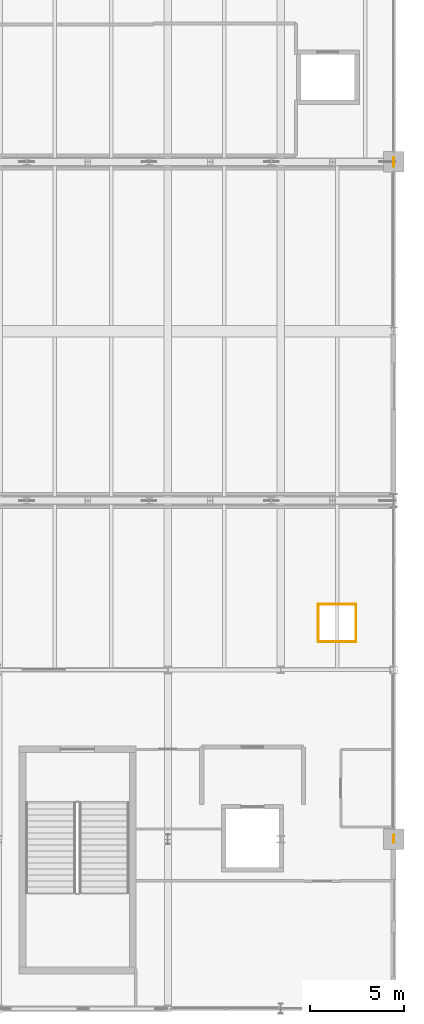
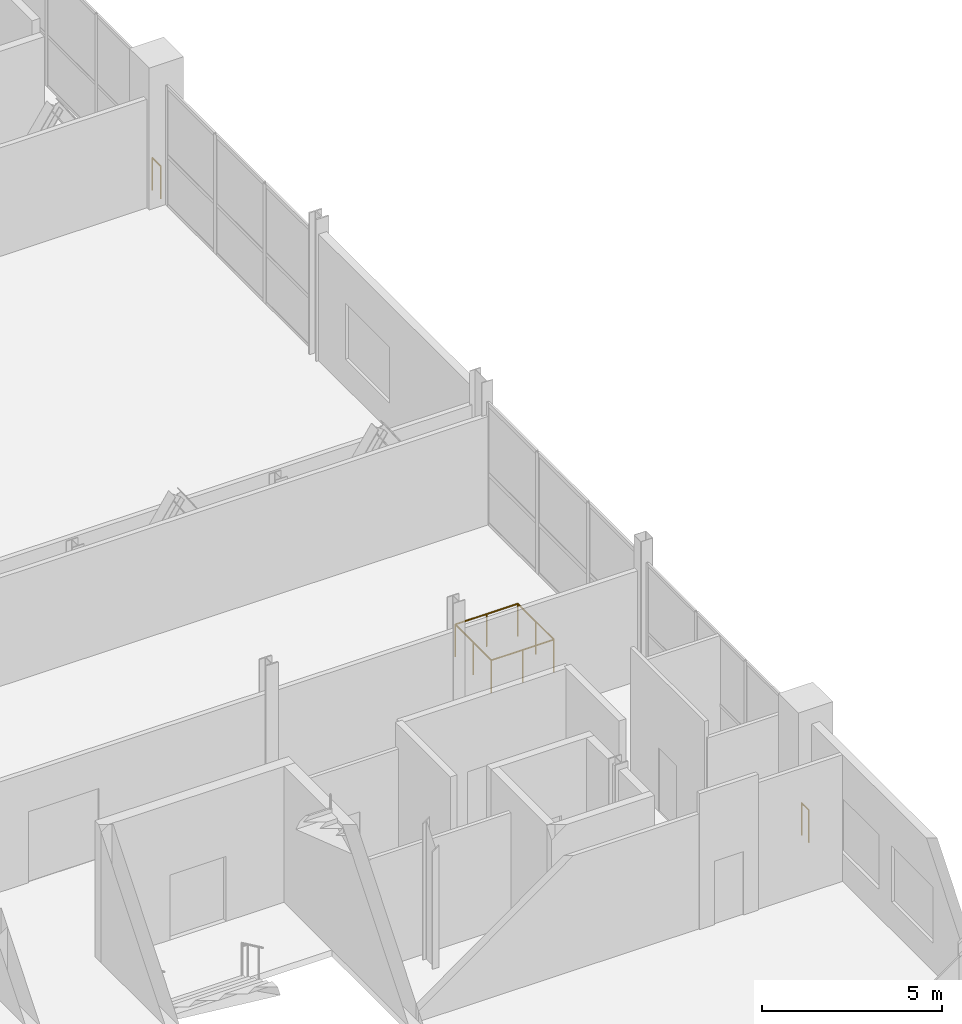
# One storey, part 220 of 224: 6 railings.
"""IFC4 building model written with IfcOpenShell, lengths in metres."""

from ifc_helpers import new_model, si_unit, direction, frame, origin, origin_2d, place, context, subcontext, project, spatial, circle, extrude, material, type_object, element, save


model = new_model("IFC4")

# Units and contexts
model_context = context("Model", 3, precision=1e-05, world=origin(), true_north=direction((0.0, 1.0)))
body_context = subcontext(model_context, "Body", "Model", "MODEL_VIEW")
ifc_project = project(units=[si_unit("LENGTHUNIT", "METRE"), si_unit("AREAUNIT", "SQUARE_METRE"), si_unit("VOLUMEUNIT", "CUBIC_METRE"), si_unit("PLANEANGLEUNIT", "RADIAN"), si_unit("MASSUNIT", "GRAM", prefix="KILO")], contexts=[model_context])

# Site, building, storey
site_placement = place(None, origin())
site = spatial("IfcSite", under=ifc_project, at=site_placement, CompositionType="ELEMENT")
building_placement = place(site_placement, origin())
building = spatial("IfcBuilding", under=site, at=building_placement, Name="Qamarlyn Nura Convention Centre", CompositionType="ELEMENT")
storey_placement = place(building_placement, frame((0.0, 0.0, 10.800048828125)))
storey = spatial("IfcBuildingStorey", under=building, at=storey_placement, Name="L02", CompositionType="ELEMENT", Elevation=10.800048828125)

# Railings
ifc_material = material(Name="Marine Grade 316 stainless steel", Category="steel")
railing_type = type_object("IfcRailingType", Name="GRD-VOID-112", PredefinedType="BALUSTRADE", material=ifc_material)
railing_1_placement = place(storey_placement, frame((192.0, 45.22998046875, 0.0)))
element("IfcRailing", 1, at=railing_1_placement, inside=storey, type_object=railing_type, Name="L02 slab edge balustrade guard 055", PredefinedType="BALUSTRADE", context=body_context, shape_type="SweptSolid", body=[
    extrude(circle(Radius=0.02392578125, at=origin_2d()), frame((0.0, 0.0, 1.09619140625), z_axis=(0.0, -1.0, 0.0), x_axis=(1.0, 0.0, 0.0)), (0.0, 0.0, 1.0), 0.4599609375),
    extrude(circle(Radius=0.02099609375, at=origin_2d()), origin(), (0.0, 0.0, 1.0), 1.070068359375),
    extrude(circle(Radius=0.02099609375, at=origin_2d()), frame((0.0, -0.4599609375, 0.0)), (0.0, 0.0, 1.0), 1.070068359375),
])
railing_2_placement = place(storey_placement, frame((192.0, 9.22998046875, 0.0)))
element("IfcRailing", 2, at=railing_2_placement, inside=storey, type_object=railing_type, Name="L02 slab edge balustrade guard 056", PredefinedType="BALUSTRADE", context=body_context, shape_type="SweptSolid", body=[
    extrude(circle(Radius=0.02392578125, at=origin_2d()), frame((0.0, 0.0, 1.09619140625), z_axis=(0.0, -1.0, 0.0), x_axis=(1.0, 0.0, 0.0)), (0.0, 0.0, 1.0), 0.39990234375),
    extrude(circle(Radius=0.02099609375, at=origin_2d()), origin(), (0.0, 0.0, 1.0), 1.070068359375),
    extrude(circle(Radius=0.02099609375, at=origin_2d()), frame((0.0, -0.39990234375, 0.0)), (0.0, 0.0, 1.0), 1.070068359375),
])
railing_3_placement = place(storey_placement, frame((190.0, 21.5, 0.0)))
element("IfcRailing", 3, at=railing_3_placement, inside=storey, type_object=railing_type, Name="L02 slab edge balustrade guard 061", PredefinedType="BALUSTRADE", context=body_context, shape_type="SweptSolid", body=[
    extrude(circle(Radius=0.02392578125, at=origin_2d()), frame((0.0, 0.0, 1.09619140625), z_axis=(-1.0, 0.0, 0.0), x_axis=(0.0, -1.0, 0.0)), (0.0, 0.0, 1.0), 2.0),
    extrude(circle(Radius=0.02099609375, at=origin_2d()), origin(), (0.0, 0.0, 1.0), 1.070068359375),
    extrude(circle(Radius=0.02099609375, at=origin_2d()), frame((-1.0, 0.0, 0.0)), (0.0, 0.0, 1.0), 1.070068359375),
    extrude(circle(Radius=0.02099609375, at=origin_2d()), frame((-2.0, 0.0, 0.0)), (0.0, 0.0, 1.0), 1.070068359375),
])
railing_4_placement = place(storey_placement, frame((188.0, 21.5, 0.0)))
element("IfcRailing", 4, at=railing_4_placement, inside=storey, type_object=railing_type, Name="L02 slab edge balustrade guard 062", PredefinedType="BALUSTRADE", context=body_context, shape_type="SweptSolid", body=[
    extrude(circle(Radius=0.02392578125, at=origin_2d()), frame((0.0, 0.0, 1.09619140625), z_axis=(0.0, -1.0, 0.0), x_axis=(1.0, 0.0, 0.0)), (0.0, 0.0, 1.0), 2.0),
    extrude(circle(Radius=0.02099609375, at=origin_2d()), origin(), (0.0, 0.0, 1.0), 1.070068359375),
    extrude(circle(Radius=0.02099609375, at=origin_2d()), frame((0.0, -1.0, 0.0)), (0.0, 0.0, 1.0), 1.070068359375),
    extrude(circle(Radius=0.02099609375, at=origin_2d()), frame((0.0, -2.0, 0.0)), (0.0, 0.0, 1.0), 1.070068359375),
])
railing_5_placement = place(storey_placement, frame((188.0, 19.5, 0.0)))
element("IfcRailing", 5, at=railing_5_placement, inside=storey, type_object=railing_type, Name="L02 slab edge balustrade guard 063", PredefinedType="BALUSTRADE", context=body_context, shape_type="SweptSolid", body=[
    extrude(circle(Radius=0.02392578125, at=origin_2d()), frame((0.0, 0.0, 1.09619140625), z_axis=(1.0, 0.0, 0.0), x_axis=(0.0, 1.0, 0.0)), (0.0, 0.0, 1.0), 2.0),
    extrude(circle(Radius=0.02099609375, at=origin_2d()), origin(), (0.0, 0.0, 1.0), 1.070068359375),
    extrude(circle(Radius=0.02099609375, at=origin_2d()), frame((1.0, 0.0, 0.0)), (0.0, 0.0, 1.0), 1.070068359375),
    extrude(circle(Radius=0.02099609375, at=origin_2d()), frame((2.0, 0.0, 0.0)), (0.0, 0.0, 1.0), 1.070068359375),
])
railing_6_placement = place(storey_placement, frame((190.0, 19.5, 0.0)))
element("IfcRailing", 6, at=railing_6_placement, inside=storey, type_object=railing_type, Name="L02 slab edge balustrade guard 064", PredefinedType="BALUSTRADE", context=body_context, shape_type="SweptSolid", body=[
    extrude(circle(Radius=0.02392578125, at=origin_2d()), frame((0.0, 0.0, 1.09619140625), z_axis=(0.0, 1.0, 0.0), x_axis=(-1.0, 0.0, 0.0)), (0.0, 0.0, 1.0), 2.0),
    extrude(circle(Radius=0.02099609375, at=origin_2d()), origin(), (0.0, 0.0, 1.0), 1.070068359375),
    extrude(circle(Radius=0.02099609375, at=origin_2d()), frame((0.0, 1.0, 0.0)), (0.0, 0.0, 1.0), 1.070068359375),
    extrude(circle(Radius=0.02099609375, at=origin_2d()), frame((0.0, 2.0, 0.0)), (0.0, 0.0, 1.0), 1.070068359375),
])

save(model, "model.ifc")
